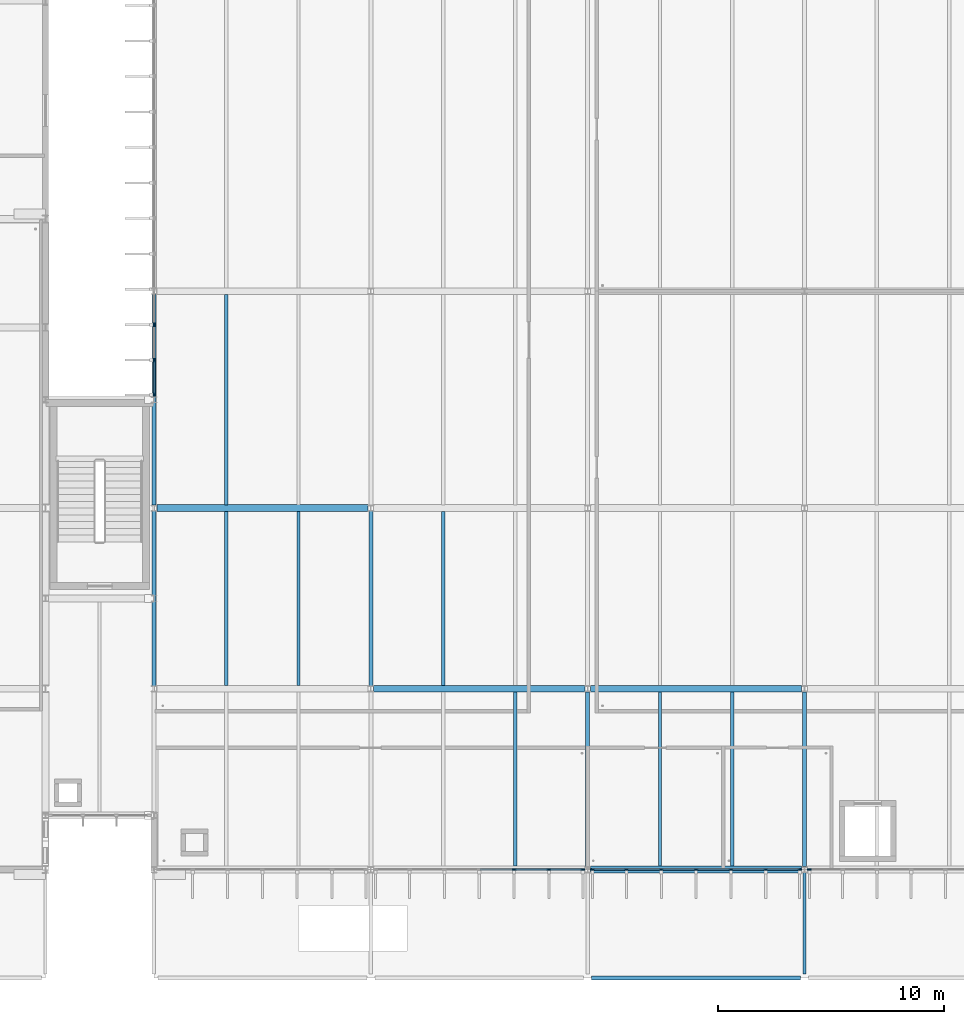
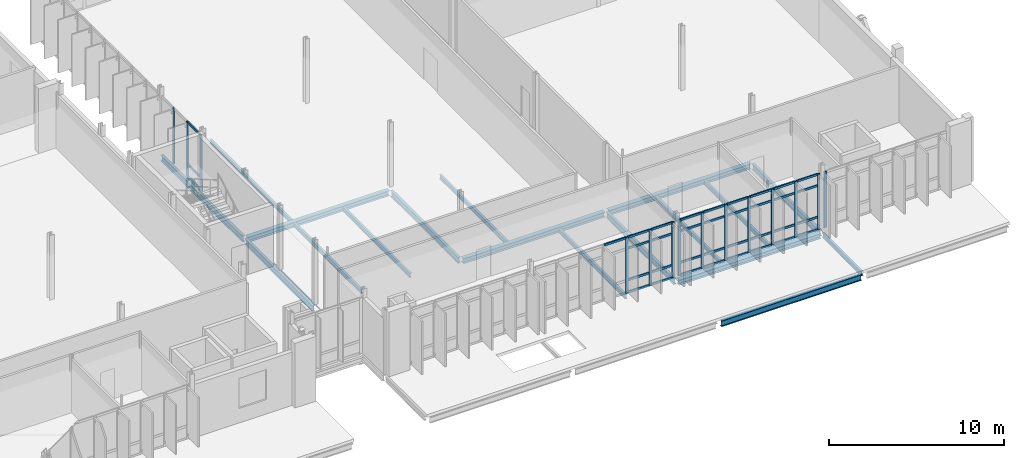
# One storey, part 40 of 107: 50 members, 18 beams, 4 elements without a shape of their own.
"""IFC4 building model written with IfcOpenShell, lengths in metres."""

from ifc_helpers import new_model, si_unit, direction, frame, origin, origin_2d, place, context, subcontext, project, spatial, rectangle, i_section, extrude, material, material_profile, profile_set, type_object, element, aggregate, save


model = new_model("IFC4")

# Units and contexts
model_context = context("Model", 3, precision=1e-05, world=origin(), true_north=direction((0.0, 1.0)))
body_context = subcontext(model_context, "Body", "Model", "MODEL_VIEW")
ifc_project = project(units=[si_unit("LENGTHUNIT", "METRE"), si_unit("AREAUNIT", "SQUARE_METRE"), si_unit("VOLUMEUNIT", "CUBIC_METRE"), si_unit("PLANEANGLEUNIT", "RADIAN"), si_unit("MASSUNIT", "GRAM", prefix="KILO")], contexts=[model_context])

# Site, building, storey
site_placement = place(None, origin())
site = spatial("IfcSite", under=ifc_project, at=site_placement, CompositionType="ELEMENT")
building_placement = place(site_placement, origin())
building = spatial("IfcBuilding", under=site, at=building_placement, Name="Dunescarp Central Library", CompositionType="ELEMENT")
storey_placement = place(building_placement, frame((0.0, 0.0, 5.10009765625)))
storey = spatial("IfcBuildingStorey", under=building, at=storey_placement, Name="L01", CompositionType="ELEMENT", Elevation=5.10009765625)

# Curtain wall, members
ifc_material_1 = material(Name="Marine-grade anodised aluminium 6063-T6", Category="aluminium")
curtain_wall_type = type_object("IfcCurtainWallType", Name="ARC-CW-STICK", PredefinedType="NOTDEFINED", material=ifc_material_1)
curtain_wall_1_placement = place(storey_placement, origin())
curtain_wall_1 = element("IfcCurtainWall", 1, at=curtain_wall_1_placement, inside=storey, type_object=curtain_wall_type, Name="L01 curtain wall CW-V5-154", PredefinedType="NOTDEFINED")
ifc_material_profile_1 = material_profile(ifc_material_1, rectangle(XDim=0.080078125, YDim=0.179931640625, at=origin_2d()), Name="AL 80x180")
ifc_profile_set_1 = profile_set([ifc_material_profile_1], Name="Marine-grade anodised aluminium 6063-T6")
member_type_1 = type_object("IfcMemberType", Name="ARC-CWM-180", PredefinedType="MULLION", material=ifc_profile_set_1)
member_1_placement = place(storey_placement, frame((148.5849609375, 4.800048828125, 0.0), z_axis=(0.0, 0.0, 1.0), x_axis=(0.0, -1.0, 0.0)))
member_1 = element("IfcMember", 2, at=member_1_placement, type_object=member_type_1, Name="CW-V5-154 mullion 1", PredefinedType="MULLION", context=body_context, shape_type="SweptSolid", body=[
    extrude(rectangle(XDim=0.080078125, YDim=0.179931640625, at=origin_2d()), origin(), (0.0, 0.0, 1.0), 3.909912109375),
])
member_2_placement = place(storey_placement, frame((147.083251953125, 4.800048828125, 0.0), z_axis=(0.0, 0.0, 1.0), x_axis=(0.0, -1.0, 0.0)))
member_2 = element("IfcMember", 3, at=member_2_placement, type_object=member_type_1, Name="CW-V5-154 mullion 2", PredefinedType="MULLION", context=body_context, shape_type="SweptSolid", body=[
    extrude(rectangle(XDim=0.080078125, YDim=0.179931640625, at=origin_2d()), origin(), (0.0, 0.0, 1.0), 3.909912109375),
])
member_3_placement = place(storey_placement, frame((145.541748046875, 4.800048828125, 0.0), z_axis=(0.0, 0.0, 1.0), x_axis=(0.0, -1.0, 0.0)))
member_3 = element("IfcMember", 4, at=member_3_placement, type_object=member_type_1, Name="CW-V5-154 mullion 3", PredefinedType="MULLION", context=body_context, shape_type="SweptSolid", body=[
    extrude(rectangle(XDim=0.080078125, YDim=0.179931640625, at=origin_2d()), origin(), (0.0, 0.0, 1.0), 3.909912109375),
])

curtain_wall_2_placement = place(storey_placement, origin())
curtain_wall_2 = element("IfcCurtainWall", 5, at=curtain_wall_2_placement, inside=storey, type_object=curtain_wall_type, Name="L01 curtain wall CW-V5-155", PredefinedType="NOTDEFINED")
member_4_placement = place(storey_placement, frame((158.18505859375, 4.800048828125, 0.0), z_axis=(0.0, 0.0, 1.0), x_axis=(0.0, -1.0, 0.0)))
member_4 = element("IfcMember", 6, at=member_4_placement, type_object=member_type_1, Name="CW-V5-155 mullion 1", PredefinedType="MULLION", context=body_context, shape_type="SweptSolid", body=[
    extrude(rectangle(XDim=0.080078125, YDim=0.179931640625, at=origin_2d()), origin(), (0.0, 0.0, 1.0), 3.909912109375),
])
member_5_placement = place(storey_placement, frame((156.683349609375, 4.800048828125, 0.0), z_axis=(0.0, 0.0, 1.0), x_axis=(0.0, -1.0, 0.0)))
member_5 = element("IfcMember", 7, at=member_5_placement, type_object=member_type_1, Name="CW-V5-155 mullion 2", PredefinedType="MULLION", context=body_context, shape_type="SweptSolid", body=[
    extrude(rectangle(XDim=0.080078125, YDim=0.179931640625, at=origin_2d()), origin(), (0.0, 0.0, 1.0), 3.909912109375),
])
member_6_placement = place(storey_placement, frame((155.1416015625, 4.800048828125, 0.0), z_axis=(0.0, 0.0, 1.0), x_axis=(0.0, -1.0, 0.0)))
member_6 = element("IfcMember", 8, at=member_6_placement, type_object=member_type_1, Name="CW-V5-155 mullion 3", PredefinedType="MULLION", context=body_context, shape_type="SweptSolid", body=[
    extrude(rectangle(XDim=0.080078125, YDim=0.179931640625, at=origin_2d()), origin(), (0.0, 0.0, 1.0), 3.909912109375),
])
member_7_placement = place(storey_placement, frame((153.60009765625, 4.800048828125, 0.0), z_axis=(0.0, 0.0, 1.0), x_axis=(0.0, -1.0, 0.0)))
member_7 = element("IfcMember", 9, at=member_7_placement, type_object=member_type_1, Name="CW-V5-155 mullion 4", PredefinedType="MULLION", context=body_context, shape_type="SweptSolid", body=[
    extrude(rectangle(XDim=0.080078125, YDim=0.179931640625, at=origin_2d()), origin(), (0.0, 0.0, 1.0), 3.909912109375),
])
member_8_placement = place(storey_placement, frame((152.058349609375, 4.800048828125, 0.0), z_axis=(0.0, 0.0, 1.0), x_axis=(0.0, -1.0, 0.0)))
member_8 = element("IfcMember", 10, at=member_8_placement, type_object=member_type_1, Name="CW-V5-155 mullion 5", PredefinedType="MULLION", context=body_context, shape_type="SweptSolid", body=[
    extrude(rectangle(XDim=0.080078125, YDim=0.179931640625, at=origin_2d()), origin(), (0.0, 0.0, 1.0), 3.909912109375),
])
member_9_placement = place(storey_placement, frame((150.5166015625, 4.800048828125, 0.0), z_axis=(0.0, 0.0, 1.0), x_axis=(0.0, -1.0, 0.0)))
member_9 = element("IfcMember", 11, at=member_9_placement, type_object=member_type_1, Name="CW-V5-155 mullion 6", PredefinedType="MULLION", context=body_context, shape_type="SweptSolid", body=[
    extrude(rectangle(XDim=0.080078125, YDim=0.179931640625, at=origin_2d()), origin(), (0.0, 0.0, 1.0), 3.909912109375),
])
member_10_placement = place(storey_placement, frame((149.014892578125, 4.800048828125, 0.0), z_axis=(0.0, 0.0, 1.0), x_axis=(0.0, -1.0, 0.0)))
member_10 = element("IfcMember", 12, at=member_10_placement, type_object=member_type_1, Name="CW-V5-155 mullion 7", PredefinedType="MULLION", context=body_context, shape_type="SweptSolid", body=[
    extrude(rectangle(XDim=0.080078125, YDim=0.179931640625, at=origin_2d()), origin(), (0.0, 0.0, 1.0), 3.909912109375),
])

# Curtain wall, member
curtain_wall_3_placement = place(storey_placement, origin())
curtain_wall_3 = element("IfcCurtainWall", 13, at=curtain_wall_3_placement, inside=storey, type_object=curtain_wall_type, Name="L01 curtain wall CW-V5-156", PredefinedType="NOTDEFINED")
member_11_placement = place(storey_placement, frame((158.614990234375, 4.800048828125, 0.0), z_axis=(0.0, 0.0, 1.0), x_axis=(0.0, -1.0, 0.0)))
member_11 = element("IfcMember", 14, at=member_11_placement, type_object=member_type_1, Name="CW-V5-156 mullion 7", PredefinedType="MULLION", context=body_context, shape_type="SweptSolid", body=[
    extrude(rectangle(XDim=0.080078125, YDim=0.179931640625, at=origin_2d()), origin(), (0.0, 0.0, 1.0), 3.909912109375),
])
aggregate(curtain_wall_3, [member_11])

# Curtain wall, members
curtain_wall_4_placement = place(storey_placement, origin())
curtain_wall_4 = element("IfcCurtainWall", 15, at=curtain_wall_4_placement, inside=storey, type_object=curtain_wall_type, Name="L01 curtain wall CW-V5-161", PredefinedType="NOTDEFINED")
member_12_placement = place(storey_placement, frame((129.60009765625, 25.81494140625, 0.0), z_axis=(0.0, 0.0, 1.0), x_axis=(-1.0, 0.0, 0.0)))
member_12 = element("IfcMember", 16, at=member_12_placement, type_object=member_type_1, Name="CW-V5-161 mullion 1", PredefinedType="MULLION", context=body_context, shape_type="SweptSolid", body=[
    extrude(rectangle(XDim=0.080078125, YDim=0.179931640625, at=origin_2d()), origin(), (0.0, 0.0, 1.0), 3.875),
])
member_13_placement = place(storey_placement, frame((129.60009765625, 27.345947265625, 0.0), z_axis=(0.0, 0.0, 1.0), x_axis=(-1.0, 0.0, 0.0)))
member_13 = element("IfcMember", 17, at=member_13_placement, type_object=member_type_1, Name="CW-V5-161 mullion 2", PredefinedType="MULLION", context=body_context, shape_type="SweptSolid", body=[
    extrude(rectangle(XDim=0.080078125, YDim=0.179931640625, at=origin_2d()), origin(), (0.0, 0.0, 1.0), 3.875),
])
member_14_placement = place(storey_placement, frame((129.60009765625, 28.916748046875, 0.0), z_axis=(0.0, 0.0, 1.0), x_axis=(-1.0, 0.0, 0.0)))
member_14 = element("IfcMember", 18, at=member_14_placement, type_object=member_type_1, Name="CW-V5-161 mullion 3", PredefinedType="MULLION", context=body_context, shape_type="SweptSolid", body=[
    extrude(rectangle(XDim=0.080078125, YDim=0.179931640625, at=origin_2d()), origin(), (0.0, 0.0, 1.0), 3.875),
])

# Member
ifc_material_profile_2 = material_profile(ifc_material_1, rectangle(XDim=0.080078125, YDim=0.14990234375, at=origin_2d()), Name="AL 80x150")
ifc_profile_set_2 = profile_set([ifc_material_profile_2], Name="Marine-grade anodised aluminium 6063-T6")
member_type_2 = type_object("IfcMemberType", Name="ARC-CWT-150", PredefinedType="USERDEFINED", material=ifc_profile_set_2)
member_15_placement = place(storey_placement, frame((148.544921875, 4.800048828125, 0.039794921875), z_axis=(-1.0, 0.0, 0.0), x_axis=(0.0, -1.0, 0.0)))
member_15 = element("IfcMember", 19, at=member_15_placement, type_object=member_type_2, Name="CW-V5-154 transom 1.1", ObjectType="TRANSOM", PredefinedType="USERDEFINED", context=body_context, shape_type="SweptSolid", body=[
    extrude(rectangle(XDim=0.080078125, YDim=0.14990234375, at=origin_2d()), origin(), (0.0, 0.0, 1.0), 1.421630859375),
])

member_16_placement = place(storey_placement, frame((148.544921875, 4.800048828125, 0.89990234375), z_axis=(-1.0, 0.0, 0.0), x_axis=(0.0, -1.0, 0.0)))
member_16 = element("IfcMember", 20, at=member_16_placement, type_object=member_type_2, Name="CW-V5-154 transom 1.2", ObjectType="TRANSOM", PredefinedType="USERDEFINED", context=body_context, shape_type="SweptSolid", body=[
    extrude(rectangle(XDim=0.080078125, YDim=0.14990234375, at=origin_2d()), origin(), (0.0, 0.0, 1.0), 1.421630859375),
])

member_17_placement = place(storey_placement, frame((148.544921875, 4.800048828125, 3.099853515625), z_axis=(-1.0, 0.0, 0.0), x_axis=(0.0, -1.0, 0.0)))
member_17 = element("IfcMember", 21, at=member_17_placement, type_object=member_type_2, Name="CW-V5-154 transom 1.3", ObjectType="TRANSOM", PredefinedType="USERDEFINED", context=body_context, shape_type="SweptSolid", body=[
    extrude(rectangle(XDim=0.080078125, YDim=0.14990234375, at=origin_2d()), origin(), (0.0, 0.0, 1.0), 1.421630859375),
])

member_18_placement = place(storey_placement, frame((148.544921875, 4.800048828125, 3.869873046875), z_axis=(-1.0, 0.0, 0.0), x_axis=(0.0, -1.0, 0.0)))
member_18 = element("IfcMember", 22, at=member_18_placement, type_object=member_type_2, Name="CW-V5-154 transom 1.4", ObjectType="TRANSOM", PredefinedType="USERDEFINED", context=body_context, shape_type="SweptSolid", body=[
    extrude(rectangle(XDim=0.080078125, YDim=0.14990234375, at=origin_2d()), origin(), (0.0, 0.0, 1.0), 1.421630859375),
])

member_19_placement = place(storey_placement, frame((147.043212890625, 4.800048828125, 0.039794921875), z_axis=(-1.0, 0.0, 0.0), x_axis=(0.0, -1.0, 0.0)))
member_19 = element("IfcMember", 23, at=member_19_placement, type_object=member_type_2, Name="CW-V5-154 transom 2.1", ObjectType="TRANSOM", PredefinedType="USERDEFINED", context=body_context, shape_type="SweptSolid", body=[
    extrude(rectangle(XDim=0.080078125, YDim=0.14990234375, at=origin_2d()), origin(), (0.0, 0.0, 1.0), 1.46142578125),
])

member_20_placement = place(storey_placement, frame((147.043212890625, 4.800048828125, 0.89990234375), z_axis=(-1.0, 0.0, 0.0), x_axis=(0.0, -1.0, 0.0)))
member_20 = element("IfcMember", 24, at=member_20_placement, type_object=member_type_2, Name="CW-V5-154 transom 2.2", ObjectType="TRANSOM", PredefinedType="USERDEFINED", context=body_context, shape_type="SweptSolid", body=[
    extrude(rectangle(XDim=0.080078125, YDim=0.14990234375, at=origin_2d()), origin(), (0.0, 0.0, 1.0), 1.46142578125),
])

member_21_placement = place(storey_placement, frame((147.043212890625, 4.800048828125, 3.099853515625), z_axis=(-1.0, 0.0, 0.0), x_axis=(0.0, -1.0, 0.0)))
member_21 = element("IfcMember", 25, at=member_21_placement, type_object=member_type_2, Name="CW-V5-154 transom 2.3", ObjectType="TRANSOM", PredefinedType="USERDEFINED", context=body_context, shape_type="SweptSolid", body=[
    extrude(rectangle(XDim=0.080078125, YDim=0.14990234375, at=origin_2d()), origin(), (0.0, 0.0, 1.0), 1.46142578125),
])

member_22_placement = place(storey_placement, frame((147.043212890625, 4.800048828125, 3.869873046875), z_axis=(-1.0, 0.0, 0.0), x_axis=(0.0, -1.0, 0.0)))
member_22 = element("IfcMember", 26, at=member_22_placement, type_object=member_type_2, Name="CW-V5-154 transom 2.4", ObjectType="TRANSOM", PredefinedType="USERDEFINED", context=body_context, shape_type="SweptSolid", body=[
    extrude(rectangle(XDim=0.080078125, YDim=0.14990234375, at=origin_2d()), origin(), (0.0, 0.0, 1.0), 1.46142578125),
])

member_23_placement = place(storey_placement, frame((145.501708984375, 4.800048828125, 3.869873046875), z_axis=(-1.0, 0.0, 0.0), x_axis=(0.0, -1.0, 0.0)))
member_23 = element("IfcMember", 27, at=member_23_placement, type_object=member_type_2, Name="CW-V5-154 transom 3.4", ObjectType="TRANSOM", PredefinedType="USERDEFINED", context=body_context, shape_type="SweptSolid", body=[
    extrude(rectangle(XDim=0.080078125, YDim=0.14990234375, at=origin_2d()), origin(), (0.0, 0.0, 1.0), 1.461669921875),
])

aggregate(curtain_wall_1, [member_1, member_2, member_3, member_15, member_16, member_17, member_18, member_19, member_20, member_21, member_22, member_23])

member_24_placement = place(storey_placement, frame((158.14501953125, 4.800048828125, 0.039794921875), z_axis=(-1.0, 0.0, 0.0), x_axis=(0.0, -1.0, 0.0)))
member_24 = element("IfcMember", 28, at=member_24_placement, type_object=member_type_2, Name="CW-V5-155 transom 1.1", ObjectType="TRANSOM", PredefinedType="USERDEFINED", context=body_context, shape_type="SweptSolid", body=[
    extrude(rectangle(XDim=0.080078125, YDim=0.14990234375, at=origin_2d()), origin(), (0.0, 0.0, 1.0), 1.421630859375),
])

member_25_placement = place(storey_placement, frame((158.14501953125, 4.800048828125, 0.89990234375), z_axis=(-1.0, 0.0, 0.0), x_axis=(0.0, -1.0, 0.0)))
member_25 = element("IfcMember", 29, at=member_25_placement, type_object=member_type_2, Name="CW-V5-155 transom 1.2", ObjectType="TRANSOM", PredefinedType="USERDEFINED", context=body_context, shape_type="SweptSolid", body=[
    extrude(rectangle(XDim=0.080078125, YDim=0.14990234375, at=origin_2d()), origin(), (0.0, 0.0, 1.0), 1.421630859375),
])

member_26_placement = place(storey_placement, frame((158.14501953125, 4.800048828125, 3.099853515625), z_axis=(-1.0, 0.0, 0.0), x_axis=(0.0, -1.0, 0.0)))
member_26 = element("IfcMember", 30, at=member_26_placement, type_object=member_type_2, Name="CW-V5-155 transom 1.3", ObjectType="TRANSOM", PredefinedType="USERDEFINED", context=body_context, shape_type="SweptSolid", body=[
    extrude(rectangle(XDim=0.080078125, YDim=0.14990234375, at=origin_2d()), origin(), (0.0, 0.0, 1.0), 1.421630859375),
])

member_27_placement = place(storey_placement, frame((158.14501953125, 4.800048828125, 3.869873046875), z_axis=(-1.0, 0.0, 0.0), x_axis=(0.0, -1.0, 0.0)))
member_27 = element("IfcMember", 31, at=member_27_placement, type_object=member_type_2, Name="CW-V5-155 transom 1.4", ObjectType="TRANSOM", PredefinedType="USERDEFINED", context=body_context, shape_type="SweptSolid", body=[
    extrude(rectangle(XDim=0.080078125, YDim=0.14990234375, at=origin_2d()), origin(), (0.0, 0.0, 1.0), 1.421630859375),
])

member_28_placement = place(storey_placement, frame((156.643310546875, 4.800048828125, 0.039794921875), z_axis=(-1.0, 0.0, 0.0), x_axis=(0.0, -1.0, 0.0)))
member_28 = element("IfcMember", 32, at=member_28_placement, type_object=member_type_2, Name="CW-V5-155 transom 2.1", ObjectType="TRANSOM", PredefinedType="USERDEFINED", context=body_context, shape_type="SweptSolid", body=[
    extrude(rectangle(XDim=0.080078125, YDim=0.14990234375, at=origin_2d()), origin(), (0.0, 0.0, 1.0), 1.461669921875),
])

member_29_placement = place(storey_placement, frame((156.643310546875, 4.800048828125, 0.89990234375), z_axis=(-1.0, 0.0, 0.0), x_axis=(0.0, -1.0, 0.0)))
member_29 = element("IfcMember", 33, at=member_29_placement, type_object=member_type_2, Name="CW-V5-155 transom 2.2", ObjectType="TRANSOM", PredefinedType="USERDEFINED", context=body_context, shape_type="SweptSolid", body=[
    extrude(rectangle(XDim=0.080078125, YDim=0.14990234375, at=origin_2d()), origin(), (0.0, 0.0, 1.0), 1.461669921875),
])

member_30_placement = place(storey_placement, frame((156.643310546875, 4.800048828125, 3.099853515625), z_axis=(-1.0, 0.0, 0.0), x_axis=(0.0, -1.0, 0.0)))
member_30 = element("IfcMember", 34, at=member_30_placement, type_object=member_type_2, Name="CW-V5-155 transom 2.3", ObjectType="TRANSOM", PredefinedType="USERDEFINED", context=body_context, shape_type="SweptSolid", body=[
    extrude(rectangle(XDim=0.080078125, YDim=0.14990234375, at=origin_2d()), origin(), (0.0, 0.0, 1.0), 1.461669921875),
])

member_31_placement = place(storey_placement, frame((156.643310546875, 4.800048828125, 3.869873046875), z_axis=(-1.0, 0.0, 0.0), x_axis=(0.0, -1.0, 0.0)))
member_31 = element("IfcMember", 35, at=member_31_placement, type_object=member_type_2, Name="CW-V5-155 transom 2.4", ObjectType="TRANSOM", PredefinedType="USERDEFINED", context=body_context, shape_type="SweptSolid", body=[
    extrude(rectangle(XDim=0.080078125, YDim=0.14990234375, at=origin_2d()), origin(), (0.0, 0.0, 1.0), 1.461669921875),
])

member_32_placement = place(storey_placement, frame((155.1015625, 4.800048828125, 0.039794921875), z_axis=(-1.0, 0.0, 0.0), x_axis=(0.0, -1.0, 0.0)))
member_32 = element("IfcMember", 36, at=member_32_placement, type_object=member_type_2, Name="CW-V5-155 transom 3.1", ObjectType="TRANSOM", PredefinedType="USERDEFINED", context=body_context, shape_type="SweptSolid", body=[
    extrude(rectangle(XDim=0.080078125, YDim=0.14990234375, at=origin_2d()), origin(), (0.0, 0.0, 1.0), 1.461669921875),
])

member_33_placement = place(storey_placement, frame((155.1015625, 4.800048828125, 0.89990234375), z_axis=(-1.0, 0.0, 0.0), x_axis=(0.0, -1.0, 0.0)))
member_33 = element("IfcMember", 37, at=member_33_placement, type_object=member_type_2, Name="CW-V5-155 transom 3.2", ObjectType="TRANSOM", PredefinedType="USERDEFINED", context=body_context, shape_type="SweptSolid", body=[
    extrude(rectangle(XDim=0.080078125, YDim=0.14990234375, at=origin_2d()), origin(), (0.0, 0.0, 1.0), 1.461669921875),
])

member_34_placement = place(storey_placement, frame((155.1015625, 4.800048828125, 3.099853515625), z_axis=(-1.0, 0.0, 0.0), x_axis=(0.0, -1.0, 0.0)))
member_34 = element("IfcMember", 38, at=member_34_placement, type_object=member_type_2, Name="CW-V5-155 transom 3.3", ObjectType="TRANSOM", PredefinedType="USERDEFINED", context=body_context, shape_type="SweptSolid", body=[
    extrude(rectangle(XDim=0.080078125, YDim=0.14990234375, at=origin_2d()), origin(), (0.0, 0.0, 1.0), 1.461669921875),
])

member_35_placement = place(storey_placement, frame((155.1015625, 4.800048828125, 3.869873046875), z_axis=(-1.0, 0.0, 0.0), x_axis=(0.0, -1.0, 0.0)))
member_35 = element("IfcMember", 39, at=member_35_placement, type_object=member_type_2, Name="CW-V5-155 transom 3.4", ObjectType="TRANSOM", PredefinedType="USERDEFINED", context=body_context, shape_type="SweptSolid", body=[
    extrude(rectangle(XDim=0.080078125, YDim=0.14990234375, at=origin_2d()), origin(), (0.0, 0.0, 1.0), 1.461669921875),
])

member_36_placement = place(storey_placement, frame((153.56005859375, 4.800048828125, 0.039794921875), z_axis=(-1.0, 0.0, 0.0), x_axis=(0.0, -1.0, 0.0)))
member_36 = element("IfcMember", 40, at=member_36_placement, type_object=member_type_2, Name="CW-V5-155 transom 4.1", ObjectType="TRANSOM", PredefinedType="USERDEFINED", context=body_context, shape_type="SweptSolid", body=[
    extrude(rectangle(XDim=0.080078125, YDim=0.14990234375, at=origin_2d()), origin(), (0.0, 0.0, 1.0), 1.461669921875),
])

member_37_placement = place(storey_placement, frame((153.56005859375, 4.800048828125, 0.89990234375), z_axis=(-1.0, 0.0, 0.0), x_axis=(0.0, -1.0, 0.0)))
member_37 = element("IfcMember", 41, at=member_37_placement, type_object=member_type_2, Name="CW-V5-155 transom 4.2", ObjectType="TRANSOM", PredefinedType="USERDEFINED", context=body_context, shape_type="SweptSolid", body=[
    extrude(rectangle(XDim=0.080078125, YDim=0.14990234375, at=origin_2d()), origin(), (0.0, 0.0, 1.0), 1.461669921875),
])

member_38_placement = place(storey_placement, frame((153.56005859375, 4.800048828125, 3.099853515625), z_axis=(-1.0, 0.0, 0.0), x_axis=(0.0, -1.0, 0.0)))
member_38 = element("IfcMember", 42, at=member_38_placement, type_object=member_type_2, Name="CW-V5-155 transom 4.3", ObjectType="TRANSOM", PredefinedType="USERDEFINED", context=body_context, shape_type="SweptSolid", body=[
    extrude(rectangle(XDim=0.080078125, YDim=0.14990234375, at=origin_2d()), origin(), (0.0, 0.0, 1.0), 1.461669921875),
])

member_39_placement = place(storey_placement, frame((153.56005859375, 4.800048828125, 3.869873046875), z_axis=(-1.0, 0.0, 0.0), x_axis=(0.0, -1.0, 0.0)))
member_39 = element("IfcMember", 43, at=member_39_placement, type_object=member_type_2, Name="CW-V5-155 transom 4.4", ObjectType="TRANSOM", PredefinedType="USERDEFINED", context=body_context, shape_type="SweptSolid", body=[
    extrude(rectangle(XDim=0.080078125, YDim=0.14990234375, at=origin_2d()), origin(), (0.0, 0.0, 1.0), 1.461669921875),
])

member_40_placement = place(storey_placement, frame((152.018310546875, 4.800048828125, 0.039794921875), z_axis=(-1.0, 0.0, 0.0), x_axis=(0.0, -1.0, 0.0)))
member_40 = element("IfcMember", 44, at=member_40_placement, type_object=member_type_2, Name="CW-V5-155 transom 5.1", ObjectType="TRANSOM", PredefinedType="USERDEFINED", context=body_context, shape_type="SweptSolid", body=[
    extrude(rectangle(XDim=0.080078125, YDim=0.14990234375, at=origin_2d()), origin(), (0.0, 0.0, 1.0), 1.461669921875),
])

member_41_placement = place(storey_placement, frame((152.018310546875, 4.800048828125, 0.89990234375), z_axis=(-1.0, 0.0, 0.0), x_axis=(0.0, -1.0, 0.0)))
member_41 = element("IfcMember", 45, at=member_41_placement, type_object=member_type_2, Name="CW-V5-155 transom 5.2", ObjectType="TRANSOM", PredefinedType="USERDEFINED", context=body_context, shape_type="SweptSolid", body=[
    extrude(rectangle(XDim=0.080078125, YDim=0.14990234375, at=origin_2d()), origin(), (0.0, 0.0, 1.0), 1.461669921875),
])

member_42_placement = place(storey_placement, frame((152.018310546875, 4.800048828125, 3.099853515625), z_axis=(-1.0, 0.0, 0.0), x_axis=(0.0, -1.0, 0.0)))
member_42 = element("IfcMember", 46, at=member_42_placement, type_object=member_type_2, Name="CW-V5-155 transom 5.3", ObjectType="TRANSOM", PredefinedType="USERDEFINED", context=body_context, shape_type="SweptSolid", body=[
    extrude(rectangle(XDim=0.080078125, YDim=0.14990234375, at=origin_2d()), origin(), (0.0, 0.0, 1.0), 1.461669921875),
])

member_43_placement = place(storey_placement, frame((152.018310546875, 4.800048828125, 3.869873046875), z_axis=(-1.0, 0.0, 0.0), x_axis=(0.0, -1.0, 0.0)))
member_43 = element("IfcMember", 47, at=member_43_placement, type_object=member_type_2, Name="CW-V5-155 transom 5.4", ObjectType="TRANSOM", PredefinedType="USERDEFINED", context=body_context, shape_type="SweptSolid", body=[
    extrude(rectangle(XDim=0.080078125, YDim=0.14990234375, at=origin_2d()), origin(), (0.0, 0.0, 1.0), 1.461669921875),
])

member_44_placement = place(storey_placement, frame((150.4765625, 4.800048828125, 0.039794921875), z_axis=(-1.0, 0.0, 0.0), x_axis=(0.0, -1.0, 0.0)))
member_44 = element("IfcMember", 48, at=member_44_placement, type_object=member_type_2, Name="CW-V5-155 transom 6.1", ObjectType="TRANSOM", PredefinedType="USERDEFINED", context=body_context, shape_type="SweptSolid", body=[
    extrude(rectangle(XDim=0.080078125, YDim=0.14990234375, at=origin_2d()), origin(), (0.0, 0.0, 1.0), 1.421630859375),
])

member_45_placement = place(storey_placement, frame((150.4765625, 4.800048828125, 0.89990234375), z_axis=(-1.0, 0.0, 0.0), x_axis=(0.0, -1.0, 0.0)))
member_45 = element("IfcMember", 49, at=member_45_placement, type_object=member_type_2, Name="CW-V5-155 transom 6.2", ObjectType="TRANSOM", PredefinedType="USERDEFINED", context=body_context, shape_type="SweptSolid", body=[
    extrude(rectangle(XDim=0.080078125, YDim=0.14990234375, at=origin_2d()), origin(), (0.0, 0.0, 1.0), 1.421630859375),
])

member_46_placement = place(storey_placement, frame((150.4765625, 4.800048828125, 3.099853515625), z_axis=(-1.0, 0.0, 0.0), x_axis=(0.0, -1.0, 0.0)))
member_46 = element("IfcMember", 50, at=member_46_placement, type_object=member_type_2, Name="CW-V5-155 transom 6.3", ObjectType="TRANSOM", PredefinedType="USERDEFINED", context=body_context, shape_type="SweptSolid", body=[
    extrude(rectangle(XDim=0.080078125, YDim=0.14990234375, at=origin_2d()), origin(), (0.0, 0.0, 1.0), 1.421630859375),
])

member_47_placement = place(storey_placement, frame((150.4765625, 4.800048828125, 3.869873046875), z_axis=(-1.0, 0.0, 0.0), x_axis=(0.0, -1.0, 0.0)))
member_47 = element("IfcMember", 51, at=member_47_placement, type_object=member_type_2, Name="CW-V5-155 transom 6.4", ObjectType="TRANSOM", PredefinedType="USERDEFINED", context=body_context, shape_type="SweptSolid", body=[
    extrude(rectangle(XDim=0.080078125, YDim=0.14990234375, at=origin_2d()), origin(), (0.0, 0.0, 1.0), 1.421630859375),
])

aggregate(curtain_wall_2, [member_4, member_5, member_6, member_7, member_8, member_9, member_10, member_24, member_25, member_26, member_27, member_28, member_29, member_30, member_31, member_32, member_33, member_34, member_35, member_36, member_37, member_38, member_39, member_40, member_41, member_42, member_43, member_44, member_45, member_46, member_47])

member_48_placement = place(storey_placement, frame((129.60009765625, 25.85498046875, 0.039794921875), z_axis=(0.0, 1.0, 0.0), x_axis=(-1.0, 0.0, 0.0)))
member_48 = element("IfcMember", 52, at=member_48_placement, type_object=member_type_2, Name="CW-V5-161 transom 1.1", ObjectType="TRANSOM", PredefinedType="USERDEFINED", context=body_context, shape_type="SweptSolid", body=[
    extrude(rectangle(XDim=0.080078125, YDim=0.14990234375, at=origin_2d()), origin(), (0.0, 0.0, 1.0), 1.450927734375),
])

member_49_placement = place(storey_placement, frame((129.60009765625, 25.85498046875, 0.89990234375), z_axis=(0.0, 1.0, 0.0), x_axis=(-1.0, 0.0, 0.0)))
member_49 = element("IfcMember", 53, at=member_49_placement, type_object=member_type_2, Name="CW-V5-161 transom 1.2", ObjectType="TRANSOM", PredefinedType="USERDEFINED", context=body_context, shape_type="SweptSolid", body=[
    extrude(rectangle(XDim=0.080078125, YDim=0.14990234375, at=origin_2d()), origin(), (0.0, 0.0, 1.0), 1.450927734375),
])

member_50_placement = place(storey_placement, frame((129.60009765625, 25.85498046875, 3.8349609375), z_axis=(0.0, 1.0, 0.0), x_axis=(-1.0, 0.0, 0.0)))
member_50 = element("IfcMember", 54, at=member_50_placement, type_object=member_type_2, Name="CW-V5-161 transom 1.3", ObjectType="TRANSOM", PredefinedType="USERDEFINED", context=body_context, shape_type="SweptSolid", body=[
    extrude(rectangle(XDim=0.080078125, YDim=0.14990234375, at=origin_2d()), origin(), (0.0, 0.0, 1.0), 1.450927734375),
])

aggregate(curtain_wall_4, [member_12, member_13, member_14, member_48, member_49, member_50])

# Beams
ifc_material_2 = material(Name="Steel S355JR", Category="steel")
ifc_material_profile_3 = material_profile(ifc_material_2, i_section(OverallWidth=0.300048828125, OverallDepth=0.35009765625, WebThickness=0.010009765625, FlangeThickness=0.017578125, at=origin_2d()), Name="HEA 360")
ifc_profile_set_3 = profile_set([ifc_material_profile_3], Name="Steel S355JR")
beam_type_1 = type_object("IfcBeamType", Name="STR-BM-IPE400", PredefinedType="BEAM", material=ifc_profile_set_3)
beam_1_placement = place(storey_placement, frame((129.72802734375, 20.800048828125, -0.39501953125), z_axis=(1.0, 0.0, 0.0), x_axis=(0.0, 1.0, 0.0)))
element("IfcBeam", 55, at=beam_1_placement, inside=storey, type_object=beam_type_1, Name="L01 girder BM-L01-1077", PredefinedType="BEAM", context=body_context, shape_type="SweptSolid", body=[
    extrude(i_section(OverallWidth=0.300048828125, OverallDepth=0.35009765625, WebThickness=0.010009765625, FlangeThickness=0.017578125, at=origin_2d()), origin(), (0.0, 0.0, 1.0), 9.343994140625),
])
beam_2_placement = place(storey_placement, frame((139.327880859375, 12.800048828125, -0.39501953125), z_axis=(1.0, 0.0, 0.0), x_axis=(0.0, 1.0, 0.0)))
element("IfcBeam", 56, at=beam_2_placement, inside=storey, type_object=beam_type_1, Name="L01 girder BM-L01-1093", PredefinedType="BEAM", context=body_context, shape_type="SweptSolid", body=[
    extrude(i_section(OverallWidth=0.300048828125, OverallDepth=0.35009765625, WebThickness=0.010009765625, FlangeThickness=0.017578125, at=origin_2d()), origin(), (0.0, 0.0, 1.0), 9.34423828125),
])
for number, where, z_axis, x_axis, name in (
    (57, (148.927978515625, 4.800048828125, -0.39501953125), (1.0, 0.0, 0.0), (0.0, 1.0, 0.0), "L01 girder BM-L01-1109"),
    (58, (148.927978515625, 12.800048828125, -0.39501953125), (1.0, 0.0, 0.0), (0.0, 1.0, 0.0), "L01 girder BM-L01-1110"),
):
    element("IfcBeam", number, at=place(storey_placement, frame(where, z_axis=z_axis, x_axis=x_axis)), inside=storey, type_object=beam_type_1, Name=name, PredefinedType="BEAM", context=body_context, shape_type="SweptSolid", body=[
        extrude(i_section(OverallWidth=0.300048828125, OverallDepth=0.35009765625, WebThickness=0.010009765625, FlangeThickness=0.017578125, at=origin_2d()), origin(), (0.0, 0.0, 1.0), 9.343994140625),
    ])
ifc_material_profile_4 = material_profile(ifc_material_2, i_section(OverallWidth=0.179443359375, OverallDepth=0.412841796875, WebThickness=0.009521484375, FlangeThickness=0.01611328125, at=origin_2d()), Name="UB 406x178x74")
ifc_profile_set_4 = profile_set([ifc_material_profile_4], Name="Steel S355JR")
beam_type_2 = type_object("IfcBeamType", Name="STR-BM-UB406", PredefinedType="BEAM", material=ifc_profile_set_4)
for number, where, z_axis, x_axis, name in (
    (59, (129.60009765625, 12.93505859375, -0.426025390625), (0.0, 1.0, 0.0), (-1.0, 0.0, 0.0), "L01 girder BM-L01-1078"),
    (60, (139.199951171875, 12.93505859375, -0.426025390625), (0.0, 1.0, 0.0), (-1.0, 0.0, 0.0), "L01 girder BM-L01-1079"),
):
    element("IfcBeam", number, at=place(storey_placement, frame(where, z_axis=z_axis, x_axis=x_axis)), inside=storey, type_object=beam_type_2, Name=name, PredefinedType="BEAM", context=body_context, shape_type="SweptSolid", body=[
        extrude(i_section(OverallWidth=0.179443359375, OverallDepth=0.412841796875, WebThickness=0.009521484375, FlangeThickness=0.01611328125, at=origin_2d()), origin(), (0.0, 0.0, 1.0), 7.72998046875),
    ])
beam_3_placement = place(storey_placement, frame((129.60009765625, 20.93505859375, -0.426025390625), z_axis=(0.0, 1.0, 0.0), x_axis=(-1.0, 0.0, 0.0)))
element("IfcBeam", 61, at=beam_3_placement, inside=storey, type_object=beam_type_2, Name="L01 girder BM-L01-1083", PredefinedType="BEAM", context=body_context, shape_type="SweptSolid", body=[
    extrude(i_section(OverallWidth=0.179443359375, OverallDepth=0.412841796875, WebThickness=0.009521484375, FlangeThickness=0.01611328125, at=origin_2d()), origin(), (0.0, 0.0, 1.0), 9.329833984375),
])
for number, where, z_axis, x_axis, name in (
    (62, (148.800048828125, 4.93505859375, -0.426025390625), (0.0, 1.0, 0.0), (-1.0, 0.0, 0.0), "L01 girder BM-L01-1094"),
    (63, (158.39990234375, 4.93505859375, -0.426025390625), (0.0, 1.0, 0.0), (-1.0, 0.0, 0.0), "L01 girder BM-L01-1111"),
):
    element("IfcBeam", number, at=place(storey_placement, frame(where, z_axis=z_axis, x_axis=x_axis)), inside=storey, type_object=beam_type_2, Name=name, PredefinedType="BEAM", context=body_context, shape_type="SweptSolid", body=[
        extrude(i_section(OverallWidth=0.179443359375, OverallDepth=0.412841796875, WebThickness=0.009521484375, FlangeThickness=0.01611328125, at=origin_2d()), origin(), (0.0, 0.0, 1.0), 7.72998046875),
    ])
ifc_material_profile_5 = material_profile(ifc_material_2, i_section(OverallWidth=0.14990234375, OverallDepth=0.300048828125, WebThickness=0.007080078125, FlangeThickness=0.0107421875, at=origin_2d()), Name="IPE 300")
ifc_profile_set_5 = profile_set([ifc_material_profile_5], Name="Steel S355JR")
beam_type_3 = type_object("IfcBeamType", Name="STR-JS-IPE300", PredefinedType="JOIST", material=ifc_profile_set_5)
for number, where, z_axis, x_axis, name in (
    (64, (132.800048828125, 12.947998046875, -0.3701171875), (0.0, 1.0, 0.0), (-1.0, 0.0, 0.0), "L01 joist JS-L01-1080"),
    (65, (136.0, 12.947998046875, -0.3701171875), (0.0, 1.0, 0.0), (-1.0, 0.0, 0.0), "L01 joist JS-L01-1081"),
):
    element("IfcBeam", number, at=place(storey_placement, frame(where, z_axis=z_axis, x_axis=x_axis)), inside=storey, type_object=beam_type_3, Name=name, PredefinedType="JOIST", context=body_context, shape_type="SweptSolid", body=[
        extrude(i_section(OverallWidth=0.14990234375, OverallDepth=0.300048828125, WebThickness=0.007080078125, FlangeThickness=0.0107421875, at=origin_2d()), origin(), (0.0, 0.0, 1.0), 7.7041015625),
    ])
beam_4_placement = place(storey_placement, frame((132.800048828125, 20.947998046875, -0.3701171875), z_axis=(0.0, 1.0, 0.0), x_axis=(-1.0, 0.0, 0.0)))
element("IfcBeam", 66, at=beam_4_placement, inside=storey, type_object=beam_type_3, Name="L01 joist JS-L01-1085", PredefinedType="JOIST", context=body_context, shape_type="SweptSolid", body=[
    extrude(i_section(OverallWidth=0.14990234375, OverallDepth=0.300048828125, WebThickness=0.007080078125, FlangeThickness=0.0107421875, at=origin_2d()), origin(), (0.0, 0.0, 1.0), 9.303955078125),
])
for number, where, z_axis, x_axis, name in (
    (67, (145.60009765625, 4.947998046875, -0.3701171875), (0.0, 1.0, 0.0), (-1.0, 0.0, 0.0), "L01 joist JS-L01-1096"),
    (68, (142.39990234375, 12.947998046875, -0.3701171875), (0.0, 1.0, 0.0), (-1.0, 0.0, 0.0), "L01 joist JS-L01-1099"),
    (69, (152.0, 4.947998046875, -0.3701171875), (0.0, 1.0, 0.0), (-1.0, 0.0, 0.0), "L01 joist JS-L01-1112"),
    (70, (155.199951171875, 4.947998046875, -0.3701171875), (0.0, 1.0, 0.0), (-1.0, 0.0, 0.0), "L01 joist JS-L01-1113"),
):
    element("IfcBeam", number, at=place(storey_placement, frame(where, z_axis=z_axis, x_axis=x_axis)), inside=storey, type_object=beam_type_3, Name=name, PredefinedType="JOIST", context=body_context, shape_type="SweptSolid", body=[
        extrude(i_section(OverallWidth=0.14990234375, OverallDepth=0.300048828125, WebThickness=0.007080078125, FlangeThickness=0.0107421875, at=origin_2d()), origin(), (0.0, 0.0, 1.0), 7.7041015625),
    ])
beam_5_placement = place(storey_placement, frame((158.39990234375, 0.175048828125, -0.35009765625), z_axis=(0.0, 1.0, 0.0), x_axis=(-1.0, 0.0, 0.0)))
element("IfcBeam", 71, at=beam_5_placement, inside=storey, type_object=beam_type_3, Name="Colonnade tie beam BM-L01-1472", PredefinedType="JOIST", context=body_context, shape_type="SweptSolid", body=[
    extrude(i_section(OverallWidth=0.14990234375, OverallDepth=0.300048828125, WebThickness=0.007080078125, FlangeThickness=0.0107421875, at=origin_2d()), origin(), (0.0, 0.0, 1.0), 4.489990234375),
])
ifc_material_profile_6 = material_profile(ifc_material_2, i_section(OverallWidth=0.177978515625, OverallDepth=0.406494140625, WebThickness=0.0078125, FlangeThickness=0.0126953125, at=origin_2d()), Name="UB 406x178x60")
ifc_profile_set_6 = profile_set([ifc_material_profile_6], Name="Steel S355JR")
beam_type_4 = type_object("IfcBeamType", Name="STR-SP-UB406", PredefinedType="SPANDREL", material=ifc_profile_set_6)
beam_6_placement = place(storey_placement, frame((148.97509765625, 0.0, -0.403076171875), z_axis=(1.0, 0.0, 0.0), x_axis=(0.0, 1.0, 0.0)))
element("IfcBeam", 72, at=beam_6_placement, inside=storey, type_object=beam_type_4, Name="Colonnade spandrel SP-L01-1467", PredefinedType="SPANDREL", context=body_context, shape_type="SweptSolid", body=[
    extrude(i_section(OverallWidth=0.177978515625, OverallDepth=0.406494140625, WebThickness=0.0078125, FlangeThickness=0.0126953125, at=origin_2d()), origin(), (0.0, 0.0, 1.0), 9.25),
])

save(model, "model.ifc")
